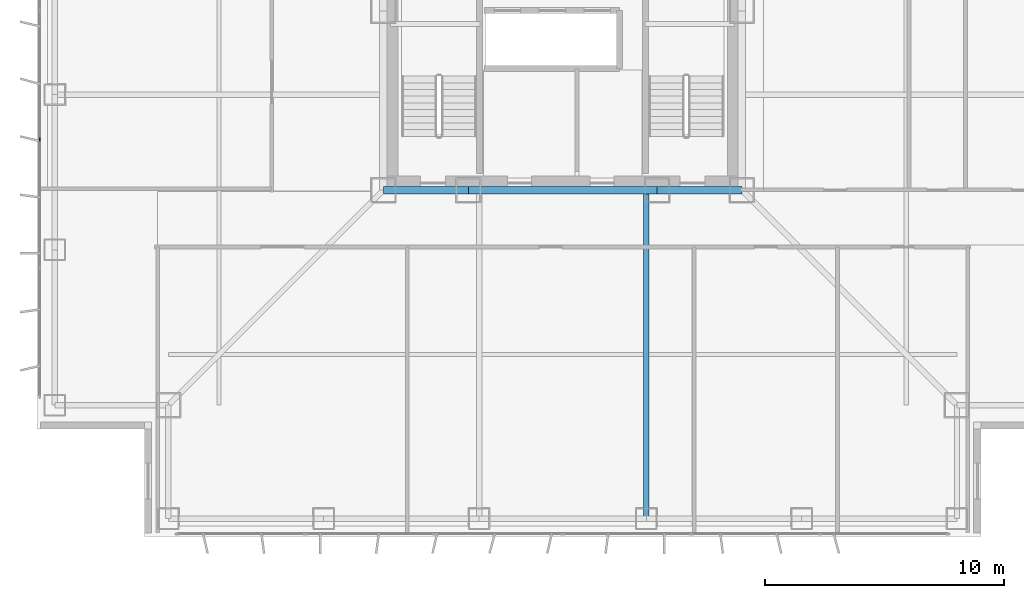
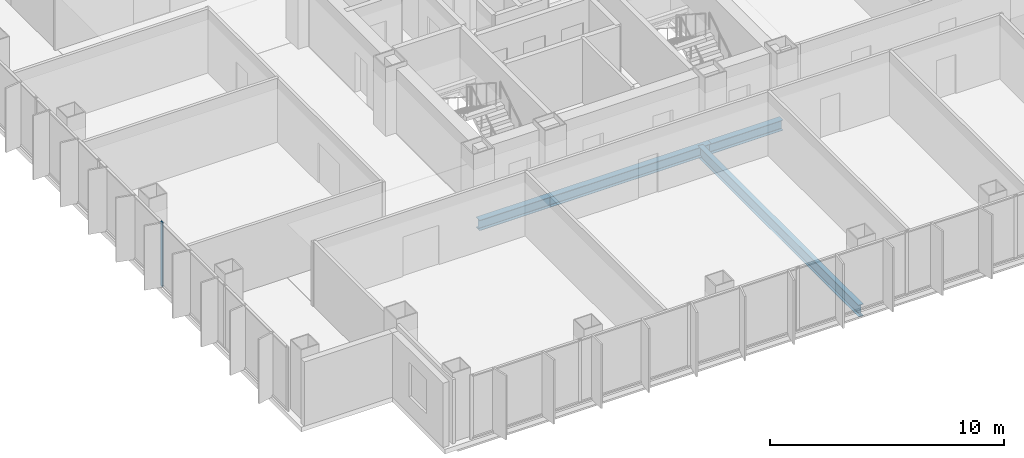
# One storey, part 4 of 17: 4 beams, 1 member, 1 element without a shape of its own.
"""IFC4 building model written with IfcOpenShell, lengths in metres."""

from ifc_helpers import new_model, si_unit, direction, frame, origin, origin_2d, place, context, subcontext, project, spatial, rectangle, i_section, extrude, material, layer, layer_set, material_profile, profile_set, type_object, element, aggregate, save


model = new_model("IFC4")

# Units and contexts
model_context = context("Model", 3, precision=1e-05, world=origin(), true_north=direction((0.0, 1.0)))
body_context = subcontext(model_context, "Body", "Model", "MODEL_VIEW")
ifc_project = project(units=[si_unit("LENGTHUNIT", "METRE"), si_unit("AREAUNIT", "SQUARE_METRE"), si_unit("VOLUMEUNIT", "CUBIC_METRE"), si_unit("PLANEANGLEUNIT", "RADIAN"), si_unit("MASSUNIT", "GRAM", prefix="KILO")], contexts=[model_context])

# Site, building, storey
site_placement = place(None, origin())
site = spatial("IfcSite", under=ifc_project, at=site_placement, CompositionType="ELEMENT")
building_placement = place(site_placement, origin())
building = spatial("IfcBuilding", under=site, at=building_placement, Name="Trevonay Congress Spire", CompositionType="ELEMENT")
storey_placement = place(building_placement, frame((0.0, 0.0, 126.39990234375)))
storey = spatial("IfcBuildingStorey", under=building, at=storey_placement, Name="L32", CompositionType="ELEMENT", Elevation=126.39990234375)

# Beams
ifc_material_1 = material(Name="Steel ASTM A572 Grade 50", Category="steel")
ifc_material_profile_1 = material_profile(ifc_material_1, i_section(OverallWidth=0.31201171875, OverallDepth=0.54296875, WebThickness=0.0126953125, FlangeThickness=0.020263671875, FilletRadius=0.014892578125, at=origin_2d()), Name="W530x150")
ifc_profile_set_1 = profile_set([ifc_material_profile_1], Name="Steel ASTM A572 Grade 50")
beam_type_1 = type_object("IfcBeamType", Name="BM-GIRD-W530X150", PredefinedType="BEAM", material=ifc_profile_set_1)
beam_1_placement = place(storey_placement, frame((-7.5, -7.5, -0.511474609375), z_axis=(1.0, 0.0, 0.0), x_axis=(0.0, 1.0, 0.0)))
element("IfcBeam", 1, at=beam_1_placement, inside=storey, type_object=beam_type_1, Name="L32 structural beam BM-L32-CR-S1", PredefinedType="BEAM", context=body_context, shape_type="SweptSolid", body=[
    extrude(i_section(OverallWidth=0.31201171875, OverallDepth=0.54296875, WebThickness=0.0126953125, FlangeThickness=0.020263671875, FilletRadius=0.014892578125, at=origin_2d()), origin(), (0.0, 0.0, 1.0), 3.550048828125),
])
beam_2_placement = place(storey_placement, frame((-3.949951171875, -7.5, -0.511474609375), z_axis=(1.0, 0.0, 0.0), x_axis=(0.0, 1.0, 0.0)))
element("IfcBeam", 2, at=beam_2_placement, inside=storey, type_object=beam_type_1, Name="L32 structural beam BM-L32-CR-S2", PredefinedType="BEAM", context=body_context, shape_type="SweptSolid", body=[
    extrude(i_section(OverallWidth=0.31201171875, OverallDepth=0.54296875, WebThickness=0.0126953125, FlangeThickness=0.020263671875, FilletRadius=0.014892578125, at=origin_2d()), origin(), (0.0, 0.0, 1.0), 7.89990234375),
])
beam_3_placement = place(storey_placement, frame((3.949951171875, -7.5, -0.511474609375), z_axis=(1.0, 0.0, 0.0), x_axis=(0.0, 1.0, 0.0)))
element("IfcBeam", 3, at=beam_3_placement, inside=storey, type_object=beam_type_1, Name="L32 structural beam BM-L32-CR-S3", PredefinedType="BEAM", context=body_context, shape_type="SweptSolid", body=[
    extrude(i_section(OverallWidth=0.31201171875, OverallDepth=0.54296875, WebThickness=0.0126953125, FlangeThickness=0.020263671875, FilletRadius=0.014892578125, at=origin_2d()), origin(), (0.0, 0.0, 1.0), 3.550048828125),
])
ifc_material_profile_2 = material_profile(ifc_material_1, i_section(OverallWidth=0.22998046875, OverallDepth=0.616943359375, WebThickness=0.01318359375, FlangeThickness=0.022216796875, FilletRadius=0.01611328125, at=origin_2d()), Name="W610x140")
ifc_profile_set_2 = profile_set([ifc_material_profile_2], Name="Steel ASTM A572 Grade 50")
beam_type_2 = type_object("IfcBeamType", Name="BM-GIRD-W610X140", PredefinedType="BEAM", material=ifc_profile_set_2)
beam_4_placement = place(storey_placement, frame((3.5, -7.5, -0.54833984375), z_axis=(0.0, -1.0, 0.0), x_axis=(1.0, 0.0, 0.0)))
element("IfcBeam", 4, at=beam_4_placement, inside=storey, type_object=beam_type_2, Name="L32 structural beam BM-L32-GS-P", PredefinedType="BEAM", context=body_context, shape_type="SweptSolid", body=[
    extrude(i_section(OverallWidth=0.22998046875, OverallDepth=0.616943359375, WebThickness=0.01318359375, FlangeThickness=0.022216796875, FilletRadius=0.01611328125, at=origin_2d()), origin(), (0.0, 0.0, 1.0), 13.75),
])

# Curtain wall, member
ifc_material_2 = material(Name="Pale Anodised Aluminium EN AW-6063-T6", Category="aluminium")
ifc_layer = layer(ifc_material_2, 0.175048828125, Name="Pale Anodised Aluminium EN AW-6063-T6")
ifc_layer_set = layer_set([ifc_layer], Name="Pale Anodised Aluminium EN AW-6063-T6")
curtain_wall_type = type_object("IfcCurtainWallType", Name="CW-SYS03-CONGRESS-PALE-METAL", PredefinedType="NOTDEFINED", material=ifc_layer_set)
curtain_wall_placement = place(storey_placement, origin())
curtain_wall = element("IfcCurtainWall", 5, at=curtain_wall_placement, inside=storey, type_object=curtain_wall_type, Name="L32 W unitised curtain wall", PredefinedType="NOTDEFINED")
ifc_material_profile_3 = material_profile(ifc_material_2, rectangle(XDim=0.06005859375, YDim=0.159912109375, at=origin_2d()), Name="CW-MULLION-160-ALUMINIUM")
ifc_profile_set_3 = profile_set([ifc_material_profile_3], Name="Pale Anodised Aluminium EN AW-6063-T6")
member_type = type_object("IfcMemberType", Name="CW-MULLION-160-ALUMINIUM", PredefinedType="MULLION", material=ifc_profile_set_3)
member_placement = place(storey_placement, frame((-21.8798828125, -5.38330078125, 0.0), z_axis=(0.0, 0.0, 1.0), x_axis=(-1.0, 0.0, 0.0)))
member = element("IfcMember", 6, at=member_placement, type_object=member_type, Name="CW03 mullion 3", PredefinedType="MULLION", context=body_context, shape_type="SweptSolid", body=[
    extrude(rectangle(XDim=0.06005859375, YDim=0.159912109375, at=origin_2d()), origin(), (0.0, 0.0, 1.0), 3.360107421875),
])
aggregate(curtain_wall, [member])

save(model, "model.ifc")
